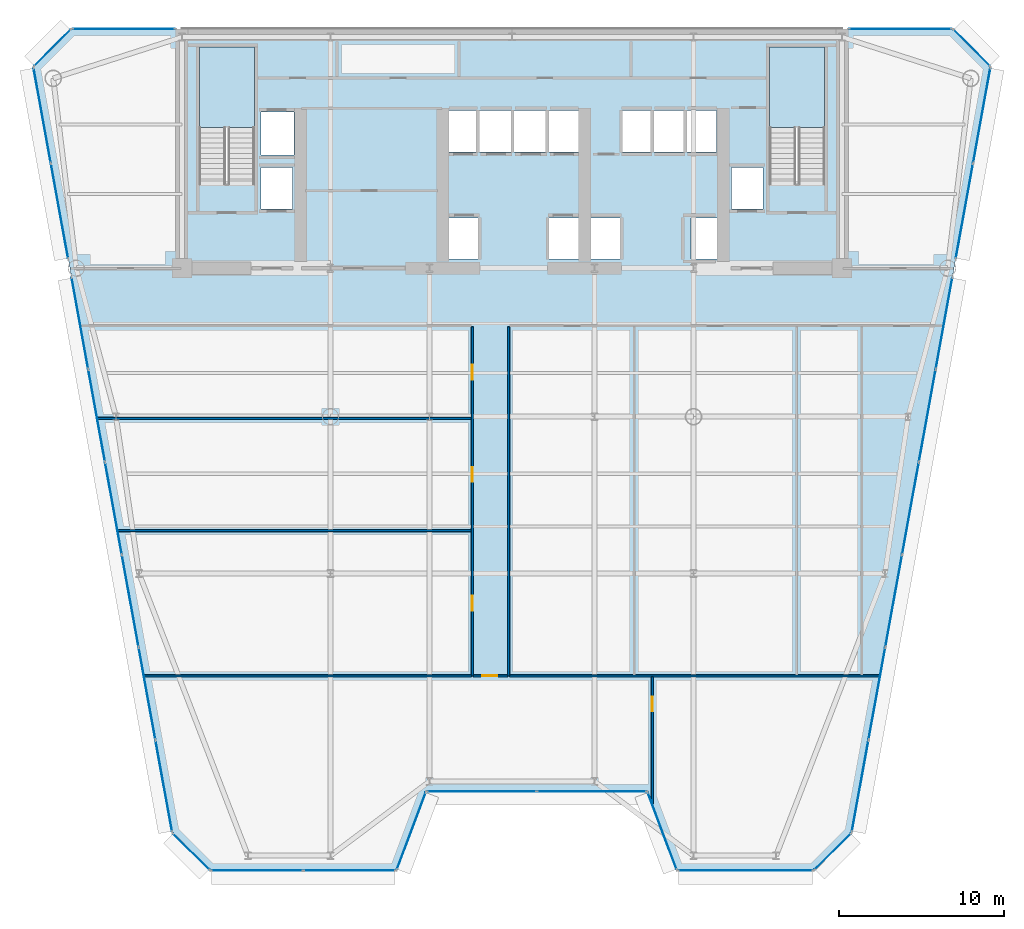
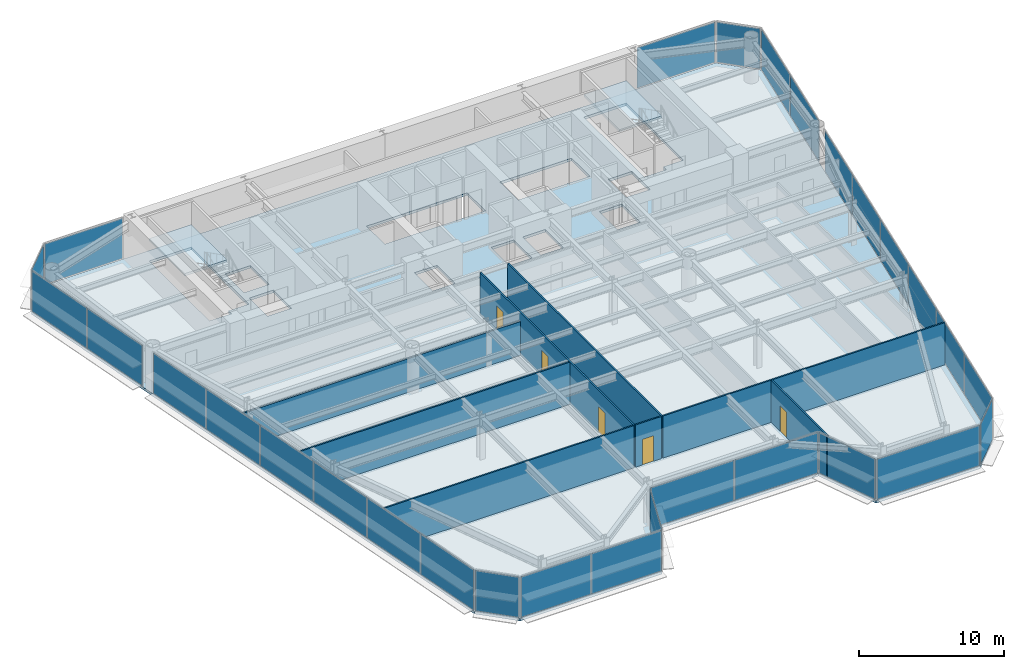
# One storey, part 7 of 14: 29 plates, 8 walls, 5 doors, 3 slabs, 5 openings, 17 elements without a shape of their own.
"""IFC4 building model written with IfcOpenShell, lengths in metres."""

from ifc_helpers import new_model, si_unit, direction, frame, frame_2d, origin, origin_2d, place, context, subcontext, project, spatial, polyline, rectangle, outline, extrude, source, transform, mapped, material, layer, layer_set, type_object, element, fill, aggregate, save


model = new_model("IFC4")

# Units and contexts
model_context = context("Model", 3, precision=1e-05, world=origin(), true_north=direction((0.0, 1.0)))
body_context = subcontext(model_context, "Body", "Model", "MODEL_VIEW")
ifc_project = project(units=[si_unit("LENGTHUNIT", "METRE"), si_unit("AREAUNIT", "SQUARE_METRE"), si_unit("VOLUMEUNIT", "CUBIC_METRE"), si_unit("PLANEANGLEUNIT", "RADIAN"), si_unit("MASSUNIT", "GRAM", prefix="KILO")], contexts=[model_context])

# Site, building, storey
site_placement = place(None, origin())
site = spatial("IfcSite", under=ifc_project, at=site_placement, CompositionType="ELEMENT")
building_placement = place(site_placement, origin())
building = spatial("IfcBuilding", under=site, at=building_placement, Name="Vaeldorn Concourse Tower", CompositionType="ELEMENT")
storey_placement = place(building_placement, frame((0.0, 0.0, 145.199951171875)))
storey = spatial("IfcBuildingStorey", under=building, at=storey_placement, Name="L37", CompositionType="ELEMENT", Elevation=145.199951171875)

# Stair, slab
ifc_material_1 = material(Name="Precast concrete C40/50", Category="concrete")
stair_type = type_object("IfcStairType", Name="STR-DOG-24x158", PredefinedType="HALF_TURN_STAIR", material=ifc_material_1)
stair_1_placement = place(storey_placement, origin())
stair_1 = element("IfcStair", 1, at=stair_1_placement, inside=storey, type_object=stair_type, Name="L37 West Core Exit Stair ST-1", PredefinedType="HALF_TURN_STAIR")
ifc_material_2 = material(Name="Concrete C40/50", Category="concrete")
ifc_layer_1 = layer(ifc_material_2, 0.199951171875)
ifc_layer_set_1 = layer_set([ifc_layer_1], Name="Concrete C40/50")
slab_type_1 = type_object("IfcSlabType", Name="SL-STAIR-LANDING", PredefinedType="LANDING", material=ifc_layer_set_1)
slab_1_placement = place(storey_placement, frame((0.0, 0.0, 1.699951171875)))
slab_1 = element("IfcSlab", 2, at=slab_1_placement, type_object=slab_type_1, Name="ST-1 landing 1", PredefinedType="LANDING", context=body_context, shape_type="SweptSolid", body=[
    extrude(outline(polyline([(18.39990234375, 45.010009765625), (18.39990234375, 49.89990234375), (15.050048828125, 49.89990234375), (15.050048828125, 45.010009765625), (18.39990234375, 45.010009765625)])), origin(), (0.0, 0.0, 1.0), 0.2001953125),
])
aggregate(stair_1, [slab_1])

stair_2_placement = place(storey_placement, origin())
stair_2 = element("IfcStair", 3, at=stair_2_placement, inside=storey, type_object=stair_type, Name="L37 East Core Exit Stair ST-2", PredefinedType="HALF_TURN_STAIR")
slab_2_placement = place(storey_placement, frame((0.0, 0.0, 1.699951171875)))
slab_2 = element("IfcSlab", 4, at=slab_2_placement, type_object=slab_type_1, Name="ST-2 landing 1", PredefinedType="LANDING", context=body_context, shape_type="SweptSolid", body=[
    extrude(outline(polyline([(52.949951171875, 45.010009765625), (52.949951171875, 49.89990234375), (49.60009765625, 49.89990234375), (49.60009765625, 45.010009765625), (52.949951171875, 45.010009765625)])), origin(), (0.0, 0.0, 1.0), 0.2001953125),
])
aggregate(stair_2, [slab_2])

# Slab
ifc_layer_2 = layer(ifc_material_2, 0.219970703125)
ifc_layer_set_2 = layer_set([ifc_layer_2], Name="Concrete C40/50")
slab_type_2 = type_object("IfcSlabType", Name="SL-TYP-220", PredefinedType="FLOOR", material=ifc_layer_set_2)
slab_3_placement = place(storey_placement, frame((0.0, 0.0, -0.219970703125)))
element("IfcSlab", 5, at=slab_3_placement, inside=storey, type_object=slab_type_2, Name="Structural Floor Slab L37", PredefinedType="FLOOR", context=body_context, shape_type="SweptSolid", body=[
    extrude(outline(polyline([(15.715087890625, 0.0), (27.0, 0.0), (28.800048828125, 4.800048828125), (42.199951171875, 4.800048828125), (44.0, 0.0), (52.284912109375, 0.0), (54.5849609375, 2.300048828125), (63.0, 48.699951171875), (60.699951171875, 51.0), (7.300048828125, 51.0), (5.0, 48.699951171875), (13.4150390625, 2.300048828125), (15.715087890625, 0.0)]), holes=[polyline([(18.39990234375, 42.0), (18.39990234375, 49.89990234375), (15.050048828125, 49.89990234375), (15.050048828125, 41.60009765625), (16.800048828125, 41.60009765625), (16.800048828125, 42.0), (18.39990234375, 42.0)]), polyline([(52.949951171875, 42.0), (52.949951171875, 49.89990234375), (49.60009765625, 49.89990234375), (49.60009765625, 41.60009765625), (51.35009765625, 41.60009765625), (51.35009765625, 42.0), (52.949951171875, 42.0)]), polyline([(30.14990234375, 37.050048828125), (31.949951171875, 37.050048828125), (31.949951171875, 39.550048828125), (30.14990234375, 39.550048828125), (30.14990234375, 37.050048828125)]), polyline([(36.25, 37.050048828125), (38.050048828125, 37.050048828125), (38.050048828125, 39.550048828125), (36.25, 39.550048828125), (36.25, 37.050048828125)]), polyline([(30.10009765625, 43.550048828125), (38.10009765625, 43.550048828125), (38.10009765625, 46.050048828125), (30.10009765625, 46.050048828125), (30.10009765625, 43.550048828125)]), polyline([(38.75, 37.050048828125), (40.550048828125, 37.050048828125), (40.550048828125, 39.550048828125), (38.75, 39.550048828125), (38.75, 37.050048828125)]), polyline([(44.85009765625, 37.050048828125), (46.64990234375, 37.050048828125), (46.64990234375, 39.550048828125), (44.85009765625, 39.550048828125), (44.85009765625, 37.050048828125)]), polyline([(40.699951171875, 43.550048828125), (46.39990234375, 43.550048828125), (46.39990234375, 46.050048828125), (40.699951171875, 46.050048828125), (40.699951171875, 43.550048828125)]), polyline([(18.800048828125, 43.35009765625), (20.800048828125, 43.35009765625), (20.800048828125, 45.949951171875), (18.800048828125, 45.949951171875), (18.800048828125, 43.35009765625)]), polyline([(18.800048828125, 40.10009765625), (20.699951171875, 40.10009765625), (20.699951171875, 42.60009765625), (18.800048828125, 42.60009765625), (18.800048828125, 40.10009765625)]), polyline([(47.300048828125, 40.10009765625), (49.199951171875, 40.10009765625), (49.199951171875, 42.60009765625), (47.300048828125, 42.60009765625), (47.300048828125, 40.10009765625)])]), origin(), (0.0, 0.0, 1.0), 0.219970703125),
])

# Curtain wall, plate
ifc_material_3 = material(Name="Anodised Bronze Aluminium", Category="aluminium")
ifc_layer_3 = layer(ifc_material_3, 0.199951171875)
ifc_layer_set_3 = layer_set([ifc_layer_3], Name="Anodised Bronze Aluminium")
curtain_wall_type = type_object("IfcCurtainWallType", Name="CW-SYS-02", PredefinedType="NOTDEFINED", material=ifc_layer_set_3)
curtain_wall_1_placement = place(storey_placement, origin())
curtain_wall_1 = element("IfcCurtainWall", 6, at=curtain_wall_1_placement, inside=storey, type_object=curtain_wall_type, Name="Unitised Curtain Wall CW-L37-E02-1", PredefinedType="NOTDEFINED")
ifc_material_4 = material(Name="Bronze Tinted Low-E Insulated Glass", Category="glass")
ifc_layer_4 = layer(ifc_material_4, 0.031982421875)
ifc_layer_set_4 = layer_set([ifc_layer_4], Name="Bronze Tinted Low-E Insulated Glass")
plate_type = type_object("IfcPlateType", Name="CWP-VISION-32", PredefinedType="CURTAIN_PANEL", material=ifc_layer_set_4)
shared_shape_1 = source(origin(), body_context, "Body", "SweptSolid", [
    extrude(rectangle(XDim=4.976318359375, YDim=0.031982421875, at=origin_2d()), origin(), (0.0, 0.0, 1.0), 3.389892578125),
])
plate_1_placement = place(storey_placement, frame((27.89990234375, 2.39990234375, 0.0751953125), z_axis=(0.0, 0.0, 1.0), x_axis=(0.351123441595, 0.936329177566, 0.0)))
plate_1 = element("IfcPlate", 7, at=plate_1_placement, type_object=plate_type, Name="CW-02 panel 1.1", PredefinedType="CURTAIN_PANEL", context=body_context, shape_type="MappedRepresentation", body=[
    mapped(shared_shape_1, transform((0.0, 0.0, 0.0), scale=1.0)),
])
aggregate(curtain_wall_1, [plate_1])

curtain_wall_2_placement = place(storey_placement, origin())
curtain_wall_2 = element("IfcCurtainWall", 8, at=curtain_wall_2_placement, inside=storey, type_object=curtain_wall_type, Name="Unitised Curtain Wall CW-L37-E04-1", PredefinedType="NOTDEFINED")
plate_2_placement = place(storey_placement, frame((43.10009765625, 2.39990234375, 0.0751953125), z_axis=(0.0, 0.0, 1.0), x_axis=(0.351123441595, -0.936329177566, 0.0)))
plate_2 = element("IfcPlate", 9, at=plate_2_placement, type_object=plate_type, Name="CW-02 panel 1.1", PredefinedType="CURTAIN_PANEL", context=body_context, shape_type="MappedRepresentation", body=[
    mapped(shared_shape_1, transform((0.0, 0.0, 0.0), scale=1.0)),
])
aggregate(curtain_wall_2, [plate_2])

# Curtain wall, plates
curtain_wall_3_placement = place(storey_placement, origin())
curtain_wall_3 = element("IfcCurtainWall", 10, at=curtain_wall_3_placement, inside=storey, type_object=curtain_wall_type, Name="Unitised Curtain Wall CW-L37-E03-1", PredefinedType="NOTDEFINED")
shared_shape_2 = source(origin(), body_context, "Body", "SweptSolid", [
    extrude(rectangle(XDim=6.58740234375, YDim=0.031982421875, at=origin_2d()), origin(), (0.0, 0.0, 1.0), 3.389892578125),
])
plate_3_placement = place(storey_placement, frame((32.168701171875, 4.800048828125, 0.0751953125), z_axis=(0.0, 0.0, 1.0), x_axis=(1.0, 0.0, 0.0)))
plate_3 = element("IfcPlate", 11, at=plate_3_placement, type_object=plate_type, Name="CW-02 panel 1.1", PredefinedType="CURTAIN_PANEL", context=body_context, shape_type="MappedRepresentation", body=[
    mapped(shared_shape_2, transform((0.0, 0.0, 0.0), scale=1.0)),
])
plate_4_placement = place(storey_placement, frame((38.831298828125, 4.800048828125, 0.0751953125), z_axis=(0.0, 0.0, 1.0), x_axis=(1.0, 0.0, 0.0)))
plate_4 = element("IfcPlate", 12, at=plate_4_placement, type_object=plate_type, Name="CW-02 panel 2.1", PredefinedType="CURTAIN_PANEL", context=body_context, shape_type="MappedRepresentation", body=[
    mapped(shared_shape_2, transform((0.0, 0.0, 0.0), scale=1.0)),
])
aggregate(curtain_wall_3, [plate_3, plate_4])

# Curtain wall, plate
curtain_wall_4_placement = place(storey_placement, origin())
curtain_wall_4 = element("IfcCurtainWall", 13, at=curtain_wall_4_placement, inside=storey, type_object=curtain_wall_type, Name="Unitised Curtain Wall CW-L37-E06-1", PredefinedType="NOTDEFINED")
shared_shape_3 = source(origin(), body_context, "Body", "SweptSolid", [
    extrude(rectangle(XDim=3.102783203125, YDim=0.031982421875, at=origin_2d()), origin(), (0.0, 0.0, 1.0), 3.389892578125),
])
plate_5_placement = place(storey_placement, frame((53.43505859375, 1.14990234375, 0.0751953125), z_axis=(0.0, 0.0, 1.0), x_axis=(0.707106781187, 0.707106781187, 0.0)))
plate_5 = element("IfcPlate", 14, at=plate_5_placement, type_object=plate_type, Name="CW-02 panel 1.1", PredefinedType="CURTAIN_PANEL", context=body_context, shape_type="MappedRepresentation", body=[
    mapped(shared_shape_3, transform((0.0, 0.0, 0.0), scale=1.0)),
])
aggregate(curtain_wall_4, [plate_5])

curtain_wall_5_placement = place(storey_placement, origin())
curtain_wall_5 = element("IfcCurtainWall", 15, at=curtain_wall_5_placement, inside=storey, type_object=curtain_wall_type, Name="Unitised Curtain Wall CW-L37-E08-1", PredefinedType="NOTDEFINED")
plate_6_placement = place(storey_placement, frame((61.85009765625, 49.85009765625, 0.0751953125), z_axis=(0.0, 0.0, 1.0), x_axis=(-0.707106781187, 0.707106781187, 0.0)))
plate_6 = element("IfcPlate", 16, at=plate_6_placement, type_object=plate_type, Name="CW-02 panel 1.1", PredefinedType="CURTAIN_PANEL", context=body_context, shape_type="MappedRepresentation", body=[
    mapped(shared_shape_3, transform((0.0, 0.0, 0.0), scale=1.0)),
])
aggregate(curtain_wall_5, [plate_6])

curtain_wall_6_placement = place(storey_placement, origin())
curtain_wall_6 = element("IfcCurtainWall", 17, at=curtain_wall_6_placement, inside=storey, type_object=curtain_wall_type, Name="Unitised Curtain Wall CW-L37-E10-1", PredefinedType="NOTDEFINED")
plate_7_placement = place(storey_placement, frame((6.14990234375, 49.85009765625, 0.0751953125), z_axis=(0.0, 0.0, 1.0), x_axis=(-0.707106781187, -0.707106781187, 0.0)))
plate_7 = element("IfcPlate", 18, at=plate_7_placement, type_object=plate_type, Name="CW-02 panel 1.1", PredefinedType="CURTAIN_PANEL", context=body_context, shape_type="MappedRepresentation", body=[
    mapped(shared_shape_3, transform((0.0, 0.0, 0.0), scale=1.0)),
])
aggregate(curtain_wall_6, [plate_7])

curtain_wall_7_placement = place(storey_placement, origin())
curtain_wall_7 = element("IfcCurtainWall", 19, at=curtain_wall_7_placement, inside=storey, type_object=curtain_wall_type, Name="Unitised Curtain Wall CW-L37-E12-1", PredefinedType="NOTDEFINED")
plate_8_placement = place(storey_placement, frame((14.56494140625, 1.14990234375, 0.0751953125), z_axis=(0.0, 0.0, 1.0), x_axis=(0.707106781187, -0.707106781187, 0.0)))
plate_8 = element("IfcPlate", 20, at=plate_8_placement, type_object=plate_type, Name="CW-02 panel 1.1", PredefinedType="CURTAIN_PANEL", context=body_context, shape_type="MappedRepresentation", body=[
    mapped(shared_shape_3, transform((0.0, 0.0, 0.0), scale=1.0)),
])
aggregate(curtain_wall_7, [plate_8])

# Curtain wall, plates
curtain_wall_8_placement = place(storey_placement, origin())
curtain_wall_8 = element("IfcCurtainWall", 21, at=curtain_wall_8_placement, inside=storey, type_object=curtain_wall_type, Name="Unitised Curtain Wall CW-L37-E01-1", PredefinedType="NOTDEFINED")
shared_shape_4 = source(origin(), body_context, "Body", "SweptSolid", [
    extrude(rectangle(XDim=5.530029296875, YDim=0.031982421875, at=origin_2d()), origin(), (0.0, 0.0, 1.0), 3.389892578125),
])
plate_9_placement = place(storey_placement, frame((18.554931640625, 0.0, 0.0751953125), z_axis=(0.0, 0.0, 1.0), x_axis=(1.0, 0.0, 0.0)))
plate_9 = element("IfcPlate", 22, at=plate_9_placement, type_object=plate_type, Name="CW-02 panel 1.1", PredefinedType="CURTAIN_PANEL", context=body_context, shape_type="MappedRepresentation", body=[
    mapped(shared_shape_4, transform((0.0, 0.0, 0.0), scale=1.0)),
])
plate_10_placement = place(storey_placement, frame((24.159912109375, 0.0, 0.0751953125), z_axis=(0.0, 0.0, 1.0), x_axis=(1.0, 0.0, 0.0)))
plate_10 = element("IfcPlate", 23, at=plate_10_placement, type_object=plate_type, Name="CW-02 panel 2.1", PredefinedType="CURTAIN_PANEL", context=body_context, shape_type="MappedRepresentation", body=[
    mapped(shared_shape_4, transform((0.0, 0.0, 0.0), scale=1.0)),
])
aggregate(curtain_wall_8, [plate_9, plate_10])

# Curtain wall, plate
curtain_wall_9_placement = place(storey_placement, origin())
curtain_wall_9 = element("IfcCurtainWall", 24, at=curtain_wall_9_placement, inside=storey, type_object=curtain_wall_type, Name="Unitised Curtain Wall CW-L37-E05-1", PredefinedType="NOTDEFINED")
shared_shape_5 = source(origin(), body_context, "Body", "SweptSolid", [
    extrude(rectangle(XDim=8.135009765625, YDim=0.031982421875, at=origin_2d()), origin(), (0.0, 0.0, 1.0), 3.389892578125),
])
plate_11_placement = place(storey_placement, frame((48.142578125, 0.0, 0.0751953125), z_axis=(0.0, 0.0, 1.0), x_axis=(1.0, 0.0, 0.0)))
plate_11 = element("IfcPlate", 25, at=plate_11_placement, type_object=plate_type, Name="CW-02 panel 1.1", PredefinedType="CURTAIN_PANEL", context=body_context, shape_type="MappedRepresentation", body=[
    mapped(shared_shape_5, transform((0.0, 0.0, 0.0), scale=1.0)),
])
aggregate(curtain_wall_9, [plate_11])

# Curtain wall, plates
curtain_wall_10_placement = place(storey_placement, origin())
curtain_wall_10 = element("IfcCurtainWall", 26, at=curtain_wall_10_placement, inside=storey, type_object=curtain_wall_type, Name="Unitised Curtain Wall CW-L37-E07-1", PredefinedType="NOTDEFINED")
shared_shape_6 = source(origin(), body_context, "Body", "SweptSolid", [
    extrude(rectangle(XDim=5.5927734375, YDim=0.031982421875, at=origin_2d()), origin(), (0.0, 0.0, 1.0), 3.389892578125),
])
plate_12_placement = place(storey_placement, frame((55.097412109375, 5.125244140625, 0.0751953125), z_axis=(0.0, 0.0, 1.0), x_axis=(0.178447109818, 0.983949505309, 0.0)))
plate_12 = element("IfcPlate", 27, at=plate_12_placement, type_object=plate_type, Name="CW-02 panel 1.1", PredefinedType="CURTAIN_PANEL", context=body_context, shape_type="MappedRepresentation", body=[
    mapped(shared_shape_6, transform((0.0, 0.0, 0.0), scale=1.0)),
])
plate_13_placement = place(storey_placement, frame((60.18115234375, 33.15673828125, 0.0751953125), z_axis=(0.0, 0.0, 1.0), x_axis=(0.178447109818, 0.983949505309, 0.0)))
plate_13 = element("IfcPlate", 28, at=plate_13_placement, type_object=plate_type, Name="CW-02 panel 6.1", PredefinedType="CURTAIN_PANEL", context=body_context, shape_type="MappedRepresentation", body=[
    mapped(shared_shape_6, transform((0.0, 0.0, 0.0), scale=1.0)),
])

curtain_wall_11_placement = place(storey_placement, origin())
curtain_wall_11 = element("IfcCurtainWall", 29, at=curtain_wall_11_placement, inside=storey, type_object=curtain_wall_type, Name="Unitised Curtain Wall CW-L37-E11-2", PredefinedType="NOTDEFINED")
plate_14_placement = place(storey_placement, frame((7.81884765625, 33.15673828125, 0.0751953125), z_axis=(0.0, 0.0, 1.0), x_axis=(0.178447109818, -0.983949505309, 0.0)))
plate_14 = element("IfcPlate", 30, at=plate_14_placement, type_object=plate_type, Name="CW-02 panel 1.1", PredefinedType="CURTAIN_PANEL", context=body_context, shape_type="MappedRepresentation", body=[
    mapped(shared_shape_6, transform((0.0, 0.0, 0.0), scale=1.0)),
])
plate_15_placement = place(storey_placement, frame((12.902587890625, 5.125244140625, 0.0751953125), z_axis=(0.0, 0.0, 1.0), x_axis=(0.178447109818, -0.983949505309, 0.0)))
plate_15 = element("IfcPlate", 31, at=plate_15_placement, type_object=plate_type, Name="CW-02 panel 6.1", PredefinedType="CURTAIN_PANEL", context=body_context, shape_type="MappedRepresentation", body=[
    mapped(shared_shape_6, transform((0.0, 0.0, 0.0), scale=1.0)),
])

# Plate
shared_shape_7 = source(origin(), body_context, "Body", "SweptSolid", [
    extrude(rectangle(XDim=5.630126953125, YDim=0.031982421875, at=origin_2d()), origin(), (0.0, 0.0, 1.0), 3.389892578125),
])
plate_16_placement = place(storey_placement, frame((56.112060546875, 10.720458984375, 0.0751953125), z_axis=(0.0, 0.0, 1.0), x_axis=(0.178447109818, 0.983949505309, 0.0)))
plate_16 = element("IfcPlate", 32, at=plate_16_placement, type_object=plate_type, Name="CW-02 panel 2.1", PredefinedType="CURTAIN_PANEL", context=body_context, shape_type="MappedRepresentation", body=[
    mapped(shared_shape_7, transform((0.0, 0.0, 0.0), scale=1.0)),
])

plate_17_placement = place(storey_placement, frame((57.130126953125, 16.334228515625, 0.0751953125), z_axis=(0.0, 0.0, 1.0), x_axis=(0.178447109818, 0.983949505309, 0.0)))
plate_17 = element("IfcPlate", 33, at=plate_17_placement, type_object=plate_type, Name="CW-02 panel 3.1", PredefinedType="CURTAIN_PANEL", context=body_context, shape_type="MappedRepresentation", body=[
    mapped(shared_shape_7, transform((0.0, 0.0, 0.0), scale=1.0)),
])

plate_18_placement = place(storey_placement, frame((58.148193359375, 21.94775390625, 0.0751953125), z_axis=(0.0, 0.0, 1.0), x_axis=(0.178447109818, 0.983949505309, 0.0)))
plate_18 = element("IfcPlate", 34, at=plate_18_placement, type_object=plate_type, Name="CW-02 panel 4.1", PredefinedType="CURTAIN_PANEL", context=body_context, shape_type="MappedRepresentation", body=[
    mapped(shared_shape_7, transform((0.0, 0.0, 0.0), scale=1.0)),
])

plate_19_placement = place(storey_placement, frame((59.166259765625, 27.5615234375, 0.0751953125), z_axis=(0.0, 0.0, 1.0), x_axis=(0.178447109818, 0.983949505309, 0.0)))
plate_19 = element("IfcPlate", 35, at=plate_19_placement, type_object=plate_type, Name="CW-02 panel 5.1", PredefinedType="CURTAIN_PANEL", context=body_context, shape_type="MappedRepresentation", body=[
    mapped(shared_shape_7, transform((0.0, 0.0, 0.0), scale=1.0)),
])

aggregate(curtain_wall_10, [plate_12, plate_16, plate_17, plate_18, plate_19, plate_13])

plate_20_placement = place(storey_placement, frame((8.833740234375, 27.5615234375, 0.0751953125), z_axis=(0.0, 0.0, 1.0), x_axis=(0.178447109818, -0.983949505309, 0.0)))
plate_20 = element("IfcPlate", 36, at=plate_20_placement, type_object=plate_type, Name="CW-02 panel 2.1", PredefinedType="CURTAIN_PANEL", context=body_context, shape_type="MappedRepresentation", body=[
    mapped(shared_shape_7, transform((0.0, 0.0, 0.0), scale=1.0)),
])

plate_21_placement = place(storey_placement, frame((9.851806640625, 21.94775390625, 0.0751953125), z_axis=(0.0, 0.0, 1.0), x_axis=(0.178447109818, -0.983949505309, 0.0)))
plate_21 = element("IfcPlate", 37, at=plate_21_placement, type_object=plate_type, Name="CW-02 panel 3.1", PredefinedType="CURTAIN_PANEL", context=body_context, shape_type="MappedRepresentation", body=[
    mapped(shared_shape_7, transform((0.0, 0.0, 0.0), scale=1.0)),
])

plate_22_placement = place(storey_placement, frame((10.869873046875, 16.334228515625, 0.0751953125), z_axis=(0.0, 0.0, 1.0), x_axis=(0.178447109818, -0.983949505309, 0.0)))
plate_22 = element("IfcPlate", 38, at=plate_22_placement, type_object=plate_type, Name="CW-02 panel 4.1", PredefinedType="CURTAIN_PANEL", context=body_context, shape_type="MappedRepresentation", body=[
    mapped(shared_shape_7, transform((0.0, 0.0, 0.0), scale=1.0)),
])

plate_23_placement = place(storey_placement, frame((11.887939453125, 10.720458984375, 0.0751953125), z_axis=(0.0, 0.0, 1.0), x_axis=(0.178447109818, -0.983949505309, 0.0)))
plate_23 = element("IfcPlate", 39, at=plate_23_placement, type_object=plate_type, Name="CW-02 panel 5.1", PredefinedType="CURTAIN_PANEL", context=body_context, shape_type="MappedRepresentation", body=[
    mapped(shared_shape_7, transform((0.0, 0.0, 0.0), scale=1.0)),
])

aggregate(curtain_wall_11, [plate_14, plate_20, plate_21, plate_22, plate_23, plate_15])

# Curtain wall, plates
curtain_wall_12_placement = place(storey_placement, origin())
curtain_wall_12 = element("IfcCurtainWall", 40, at=curtain_wall_12_placement, inside=storey, type_object=curtain_wall_type, Name="Unitised Curtain Wall CW-L37-E07-2", PredefinedType="NOTDEFINED")
shared_shape_8 = source(origin(), body_context, "Body", "SweptSolid", [
    extrude(rectangle(XDim=5.82373046875, YDim=0.031982421875, at=origin_2d()), origin(), (0.0, 0.0, 1.0), 3.389892578125),
])
plate_24_placement = place(storey_placement, frame((61.414306640625, 39.95703125, 0.0751953125), z_axis=(0.0, 0.0, 1.0), x_axis=(0.178445144419, 0.983949861748, 0.0)))
plate_24 = element("IfcPlate", 41, at=plate_24_placement, type_object=plate_type, Name="CW-02 panel 1.1", PredefinedType="CURTAIN_PANEL", context=body_context, shape_type="MappedRepresentation", body=[
    mapped(shared_shape_8, transform((0.0, 0.0, 0.0), scale=1.0)),
])
plate_25_placement = place(storey_placement, frame((62.467041015625, 45.760986328125, 0.0751953125), z_axis=(0.0, 0.0, 1.0), x_axis=(0.178445144419, 0.983949861748, 0.0)))
plate_25 = element("IfcPlate", 42, at=plate_25_placement, type_object=plate_type, Name="CW-02 panel 2.1", PredefinedType="CURTAIN_PANEL", context=body_context, shape_type="MappedRepresentation", body=[
    mapped(shared_shape_8, transform((0.0, 0.0, 0.0), scale=1.0)),
])
aggregate(curtain_wall_12, [plate_24, plate_25])

curtain_wall_13_placement = place(storey_placement, origin())
curtain_wall_13 = element("IfcCurtainWall", 43, at=curtain_wall_13_placement, inside=storey, type_object=curtain_wall_type, Name="Unitised Curtain Wall CW-L37-E11-1", PredefinedType="NOTDEFINED")
plate_26_placement = place(storey_placement, frame((5.532958984375, 45.760986328125, 0.0751953125), z_axis=(0.0, 0.0, 1.0), x_axis=(0.178445144419, -0.983949861748, 0.0)))
plate_26 = element("IfcPlate", 44, at=plate_26_placement, type_object=plate_type, Name="CW-02 panel 1.1", PredefinedType="CURTAIN_PANEL", context=body_context, shape_type="MappedRepresentation", body=[
    mapped(shared_shape_8, transform((0.0, 0.0, 0.0), scale=1.0)),
])
plate_27_placement = place(storey_placement, frame((6.585693359375, 39.95703125, 0.0751953125), z_axis=(0.0, 0.0, 1.0), x_axis=(0.178445144419, -0.983949861748, 0.0)))
plate_27 = element("IfcPlate", 45, at=plate_27_placement, type_object=plate_type, Name="CW-02 panel 2.1", PredefinedType="CURTAIN_PANEL", context=body_context, shape_type="MappedRepresentation", body=[
    mapped(shared_shape_8, transform((0.0, 0.0, 0.0), scale=1.0)),
])
aggregate(curtain_wall_13, [plate_26, plate_27])

# Curtain wall, plate
curtain_wall_14_placement = place(storey_placement, origin())
curtain_wall_14 = element("IfcCurtainWall", 46, at=curtain_wall_14_placement, inside=storey, type_object=curtain_wall_type, Name="Unitised Curtain Wall CW-L37-E09-1", PredefinedType="NOTDEFINED")
shared_shape_9 = source(origin(), body_context, "Body", "SweptSolid", [
    extrude(rectangle(XDim=6.179931640625, YDim=0.031982421875, at=origin_2d()), origin(), (0.0, 0.0, 1.0), 3.389892578125),
])
plate_28_placement = place(storey_placement, frame((57.534912109375, 51.0, 0.0751953125), z_axis=(0.0, 0.0, 1.0), x_axis=(-1.0, 0.0, 0.0)))
plate_28 = element("IfcPlate", 47, at=plate_28_placement, type_object=plate_type, Name="CW-02 panel 1.1", PredefinedType="CURTAIN_PANEL", context=body_context, shape_type="MappedRepresentation", body=[
    mapped(shared_shape_9, transform((0.0, 0.0, 0.0), scale=1.0)),
])
aggregate(curtain_wall_14, [plate_28])

curtain_wall_15_placement = place(storey_placement, origin())
curtain_wall_15 = element("IfcCurtainWall", 48, at=curtain_wall_15_placement, inside=storey, type_object=curtain_wall_type, Name="Unitised Curtain Wall CW-L37-E09-2", PredefinedType="NOTDEFINED")
plate_29_placement = place(storey_placement, frame((10.465087890625, 51.0, 0.0751953125), z_axis=(0.0, 0.0, 1.0), x_axis=(-1.0, 0.0, 0.0)))
plate_29 = element("IfcPlate", 49, at=plate_29_placement, type_object=plate_type, Name="CW-02 panel 1.1", PredefinedType="CURTAIN_PANEL", context=body_context, shape_type="MappedRepresentation", body=[
    mapped(shared_shape_9, transform((0.0, 0.0, 0.0), scale=1.0)),
])
aggregate(curtain_wall_15, [plate_29])

# Wall, openings, doors
ifc_material_5 = material(Name="Gypsum Board Partition", Category="gypsum")
ifc_layer_5 = layer(ifc_material_5, 0.1201171875)
ifc_layer_set_5 = layer_set([ifc_layer_5], Name="Gypsum Board Partition")
wall_type = type_object("IfcWallType", Name="WL-PART-120", PredefinedType="PARTITIONING", material=ifc_layer_set_5)
wall_1_placement = place(storey_placement, frame((31.60009765625, 11.800048828125, 0.0), z_axis=(0.0, 0.0, 1.0), x_axis=(0.0, 1.0, 0.0)))
wall_1 = element("IfcWall", 50, at=wall_1_placement, inside=storey, type_object=wall_type, Name="Interior Wall PW-L37-SP2W", PredefinedType="PARTITIONING", context=body_context, shape_type="SweptSolid", body=[
    extrude(rectangle(XDim=21.139892578125, YDim=0.1201171875, at=frame_2d((10.56982421875, 0.0))), origin(), (0.0, 0.0, 1.0), 3.5400390625),
])
opening_1_placement = place(wall_1_placement, frame((3.949951171875, 0.0, 0.0)))
opening_1 = element("IfcOpeningElement", 51, at=opening_1_placement, cuts=wall_1, Name="Opening D-03", PredefinedType="OPENING", context=body_context, shape_type="SweptSolid", body=[
    extrude(rectangle(XDim=0.89990234375, YDim=2.14990234375, at=frame_2d((0.449951171875, 1.074951171875))), frame((0.0, 0.070068359375, 0.0), z_axis=(0.0, -1.0, 0.0), x_axis=(1.0, 0.0, 0.0)), (0.0, 0.0, 1.0), 0.14013671875),
])
opening_2_placement = place(wall_1_placement, frame((11.75, 0.0, 0.0)))
opening_2 = element("IfcOpeningElement", 52, at=opening_2_placement, cuts=wall_1, Name="Opening D-03", PredefinedType="OPENING", context=body_context, shape_type="SweptSolid", body=[
    extrude(rectangle(XDim=0.89990234375, YDim=2.14990234375, at=frame_2d((0.449951171875, 1.074951171875))), frame((0.0, 0.070068359375, 0.0), z_axis=(0.0, -1.0, 0.0), x_axis=(1.0, 0.0, 0.0)), (0.0, 0.0, 1.0), 0.14013671875),
])
opening_3_placement = place(wall_1_placement, frame((17.949951171875, 0.0, 0.0)))
opening_3 = element("IfcOpeningElement", 53, at=opening_3_placement, cuts=wall_1, Name="Opening D-03", PredefinedType="OPENING", context=body_context, shape_type="SweptSolid", body=[
    extrude(rectangle(XDim=0.89990234375, YDim=2.14990234375, at=frame_2d((0.449951171875, 1.074951171875))), frame((0.0, 0.070068359375, 0.0), z_axis=(0.0, -1.0, 0.0), x_axis=(1.0, 0.0, 0.0)), (0.0, 0.0, 1.0), 0.14013671875),
])
ifc_material_6 = material(Name="Acoustic Bronze-Framed Glass Door", Category="glass")
door_type = type_object("IfcDoorType", Name="DR-INT-900", OperationType="NOTDEFINED", PredefinedType="DOOR", material=ifc_material_6)
shared_shape_10 = source(origin(), body_context, "Body", "SweptSolid", [
    extrude(rectangle(XDim=0.89990234375, YDim=2.14990234375, at=frame_2d((0.449951171875, 1.074951171875))), frame((0.0, 0.02490234375, 0.0), z_axis=(0.0, -1.0, 0.0), x_axis=(1.0, 0.0, 0.0)), (0.0, 0.0, 1.0), 0.050048828125),
])
door_1_placement = place(opening_1_placement, origin())
door_1 = element("IfcDoor", 54, at=door_1_placement, inside=storey, type_object=door_type, Name="Interior Door DR-L37-Z2W1", OperationType="SINGLE_SWING_LEFT", OverallHeight=2.14990234375, OverallWidth=0.89990234375, PredefinedType="DOOR", context=body_context, shape_type="MappedRepresentation", body=[
    mapped(shared_shape_10, transform((0.0, 0.0, 0.0), scale=1.0)),
])
fill(opening_1, door_1)
door_2_placement = place(opening_2_placement, origin())
door_2 = element("IfcDoor", 55, at=door_2_placement, inside=storey, type_object=door_type, Name="Interior Door DR-L37-Z2W2", OperationType="SINGLE_SWING_RIGHT", OverallHeight=2.14990234375, OverallWidth=0.89990234375, PredefinedType="DOOR", context=body_context, shape_type="MappedRepresentation", body=[
    mapped(shared_shape_10, transform((0.0, 0.0, 0.0), scale=1.0)),
])
fill(opening_2, door_2)
door_3_placement = place(opening_3_placement, origin())
door_3 = element("IfcDoor", 56, at=door_3_placement, inside=storey, type_object=door_type, Name="Interior Door DR-L37-Z2W3", OperationType="SINGLE_SWING_LEFT", OverallHeight=2.14990234375, OverallWidth=0.89990234375, PredefinedType="DOOR", context=body_context, shape_type="MappedRepresentation", body=[
    mapped(shared_shape_10, transform((0.0, 0.0, 0.0), scale=1.0)),
])
fill(opening_3, door_3)

# Wall
wall_2_placement = place(storey_placement, frame((33.800048828125, 11.800048828125, 0.0), z_axis=(0.0, 0.0, 1.0), x_axis=(0.0, 1.0, 0.0)))
element("IfcWall", 57, at=wall_2_placement, inside=storey, type_object=wall_type, Name="Interior Wall PW-L37-SP2E", PredefinedType="PARTITIONING", context=body_context, shape_type="SweptSolid", body=[
    extrude(rectangle(XDim=21.139892578125, YDim=0.1201171875, at=frame_2d((10.56982421875, 0.0))), origin(), (0.0, 0.0, 1.0), 3.5400390625),
])

# Wall, opening, door
wall_3_placement = place(storey_placement, frame((31.659912109375, 11.800048828125, 0.0), z_axis=(0.0, 0.0, 1.0), x_axis=(1.0, 0.0, 0.0)))
wall_3 = element("IfcWall", 58, at=wall_3_placement, inside=storey, type_object=wall_type, Name="Interior Wall PW-L37-SP2S", PredefinedType="PARTITIONING", context=body_context, shape_type="SweptSolid", body=[
    extrude(rectangle(XDim=2.080078125, YDim=0.1201171875, at=frame_2d((1.0400390625, 0.0))), origin(), (0.0, 0.0, 1.0), 3.5400390625),
])
opening_4_placement = place(wall_3_placement, frame((0.550048828125, 0.0, 0.0)))
opening_4 = element("IfcOpeningElement", 59, at=opening_4_placement, cuts=wall_3, Name="Opening D-03", PredefinedType="OPENING", context=body_context, shape_type="SweptSolid", body=[
    extrude(rectangle(XDim=0.89990234375, YDim=2.14990234375, at=frame_2d((0.449951171875, 1.074951171875))), frame((0.0, 0.070068359375, 0.0), z_axis=(0.0, -1.0, 0.0), x_axis=(1.0, 0.0, 0.0)), (0.0, 0.0, 1.0), 0.14013671875),
])
door_4_placement = place(opening_4_placement, origin())
door_4 = element("IfcDoor", 60, at=door_4_placement, inside=storey, type_object=door_type, Name="Interior Door DR-L37-Z2SFM", OperationType="SINGLE_SWING_LEFT", OverallHeight=2.14990234375, OverallWidth=0.89990234375, PredefinedType="DOOR", context=body_context, shape_type="MappedRepresentation", body=[
    mapped(shared_shape_10, transform((0.0, 0.0, 0.0), scale=1.0)),
])
fill(opening_4, door_4)

# Walls
wall_4_placement = place(storey_placement, frame((11.732177734375, 11.800048828125, 0.0), z_axis=(0.0, 0.0, 1.0), x_axis=(1.0, 0.0, 0.0)))
element("IfcWall", 61, at=wall_4_placement, inside=storey, type_object=wall_type, Name="Interior Wall PW-L37-S2WL", PredefinedType="PARTITIONING", context=body_context, shape_type="SweptSolid", body=[
    extrude(rectangle(XDim=19.807861328125, YDim=0.1201171875, at=frame_2d((9.90380859375, 0.0))), origin(), (0.0, 0.0, 1.0), 3.5400390625),
])
wall_5_placement = place(storey_placement, frame((33.860107421875, 11.800048828125, 0.0), z_axis=(0.0, 0.0, 1.0), x_axis=(1.0, 0.0, 0.0)))
element("IfcWall", 62, at=wall_5_placement, inside=storey, type_object=wall_type, Name="Interior Wall PW-L37-S2EL", PredefinedType="PARTITIONING", context=body_context, shape_type="SweptSolid", body=[
    extrude(rectangle(XDim=22.40771484375, YDim=0.1201171875, at=frame_2d((11.203857421875, 0.0))), origin(), (0.0, 0.0, 1.0), 3.5400390625),
])

# Wall, opening, door
wall_6_placement = place(storey_placement, frame((42.5, 4.0400390625, 0.0), z_axis=(0.0, 0.0, 1.0), x_axis=(0.0, 1.0, 0.0)))
wall_6 = element("IfcWall", 63, at=wall_6_placement, inside=storey, type_object=wall_type, Name="Interior Wall PW-L37-Z2SFX1", PredefinedType="PARTITIONING", context=body_context, shape_type="SweptSolid", body=[
    extrude(rectangle(XDim=7.699951171875, YDim=0.1201171875, at=frame_2d((3.85009765625, 0.0))), origin(), (0.0, 0.0, 1.0), 3.5400390625),
])
opening_5_placement = place(wall_6_placement, frame((5.60009765625, 0.0, 0.0)))
opening_5 = element("IfcOpeningElement", 64, at=opening_5_placement, cuts=wall_6, Name="Opening D-03", PredefinedType="OPENING", context=body_context, shape_type="SweptSolid", body=[
    extrude(rectangle(XDim=0.89990234375, YDim=2.14990234375, at=frame_2d((0.449951171875, 1.074951171875))), frame((0.0, 0.070068359375, 0.0), z_axis=(0.0, -1.0, 0.0), x_axis=(1.0, 0.0, 0.0)), (0.0, 0.0, 1.0), 0.14013671875),
])
door_5_placement = place(opening_5_placement, origin())
door_5 = element("IfcDoor", 65, at=door_5_placement, inside=storey, type_object=door_type, Name="Interior Door DR-L37-Z2SFX1", OperationType="SINGLE_SWING_RIGHT", OverallHeight=2.14990234375, OverallWidth=0.89990234375, PredefinedType="DOOR", context=body_context, shape_type="MappedRepresentation", body=[
    mapped(shared_shape_10, transform((0.0, 0.0, 0.0), scale=1.0)),
])
fill(opening_5, door_5)

# Walls
wall_7_placement = place(storey_placement, frame((10.13623046875, 20.60009765625, 0.0), z_axis=(0.0, 0.0, 1.0), x_axis=(1.0, 0.0, 0.0)))
element("IfcWall", 66, at=wall_7_placement, inside=storey, type_object=wall_type, Name="Interior Wall PW-L37-Z2WY1", PredefinedType="PARTITIONING", context=body_context, shape_type="SweptSolid", body=[
    extrude(rectangle(XDim=21.40380859375, YDim=0.1201171875, at=frame_2d((10.701904296875, 0.0))), origin(), (0.0, 0.0, 1.0), 3.5400390625),
])
wall_8_placement = place(storey_placement, frame((8.90283203125, 27.39990234375, 0.0), z_axis=(0.0, 0.0, 1.0), x_axis=(1.0, 0.0, 0.0)))
element("IfcWall", 67, at=wall_8_placement, inside=storey, type_object=wall_type, Name="Interior Wall PW-L37-Z2WY2", PredefinedType="PARTITIONING", context=body_context, shape_type="SweptSolid", body=[
    extrude(rectangle(XDim=22.63720703125, YDim=0.1201171875, at=frame_2d((11.318603515625, 0.0))), origin(), (0.0, 0.0, 1.0), 2.830078125),
])

save(model, "model.ifc")
